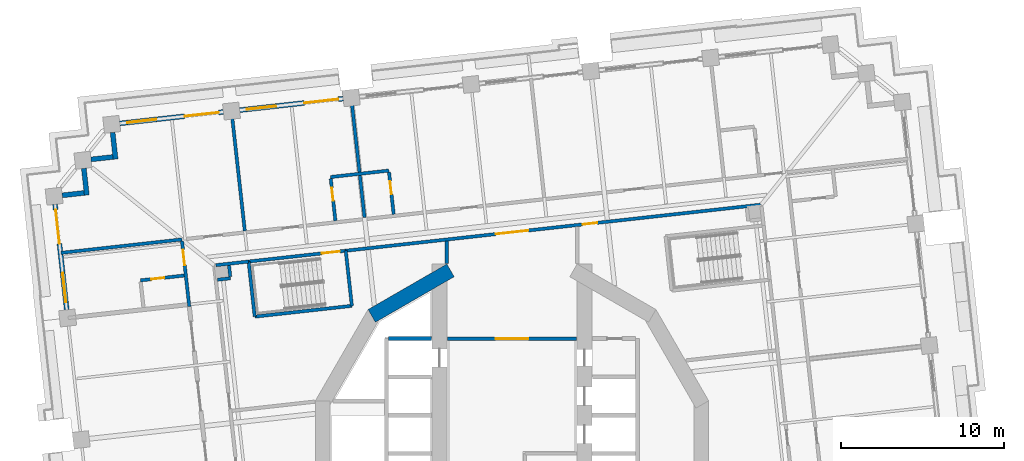
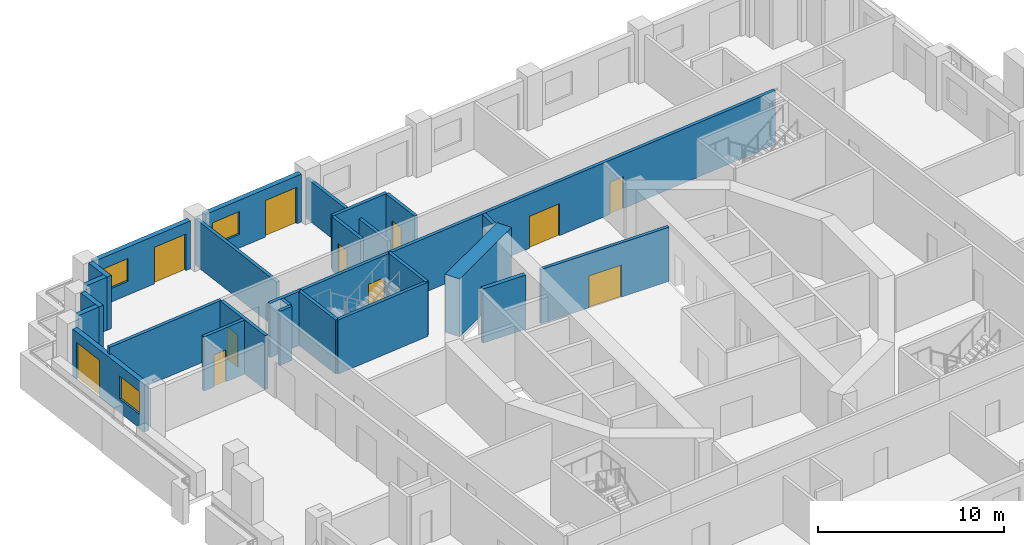
# One storey, part 8 of 19: 27 walls, 11 doors, 3 windows, 14 openings.
"""IFC4 building model written with IfcOpenShell, lengths in metres."""

from ifc_helpers import new_model, si_unit, direction, frame, frame_2d, origin, place, context, subcontext, project, spatial, rectangle, extrude, material, layer, layer_set, type_object, element, fill, save


model = new_model("IFC4")

# Units and contexts
model_context = context("Model", 3, precision=1e-05, world=origin(), true_north=direction((0.0, 1.0)))
body_context = subcontext(model_context, "Body", "Model", "MODEL_VIEW")
ifc_project = project(units=[si_unit("LENGTHUNIT", "METRE"), si_unit("AREAUNIT", "SQUARE_METRE"), si_unit("VOLUMEUNIT", "CUBIC_METRE"), si_unit("PLANEANGLEUNIT", "RADIAN"), si_unit("MASSUNIT", "GRAM", prefix="KILO")], contexts=[model_context])

# Site, building, storey
site_placement = place(None, origin())
site = spatial("IfcSite", under=ifc_project, at=site_placement, CompositionType="ELEMENT")
building_placement = place(site_placement, origin())
building = spatial("IfcBuilding", under=site, at=building_placement, Name="Cantera Rosa Tower", CompositionType="ELEMENT")
storey_placement = place(building_placement, frame((0.0, 0.0, 65.300048828125)))
storey = spatial("IfcBuildingStorey", under=building, at=storey_placement, Name="L13", CompositionType="ELEMENT", Elevation=65.300048828125)

# Wall, opening, door
ifc_material_1 = material(Name="Gypsum board partition")
ifc_layer_1 = layer(ifc_material_1, 0.199951171875)
ifc_layer_set_1 = layer_set([ifc_layer_1], Name="CORRIDOR WALL 200 H3550")
wall_type_1 = type_object("IfcWallType", Name="CORRIDOR WALL 200 H3550", PredefinedType="PARTITIONING", material=ifc_layer_set_1)
wall_1_placement = place(storey_placement, frame((-20.2626953125, 13.04443359375, 0.0), z_axis=(0.0, 0.0, 1.0), x_axis=(0.110332157686, -0.993894770577, 0.0)))
wall_1 = element("IfcWall", 1, at=wall_1_placement, inside=storey, type_object=wall_type_1, Name="CORRIDOR WALL L13-007", PredefinedType="PARTITIONING", context=body_context, shape_type="SweptSolid", body=[
    extrude(rectangle(XDim=4.044921875, YDim=0.199951171875, at=frame_2d((2.0224609375, 0.0))), origin(), (0.0, 0.0, 1.0), 3.550048828125),
])
opening_1_placement = place(wall_1_placement, frame((0.534912109375, 0.0, 0.0)))
opening_1 = element("IfcOpeningElement", 2, at=opening_1_placement, cuts=wall_1, Name="Opening L13-033", PredefinedType="OPENING", context=body_context, shape_type="SweptSolid", body=[
    extrude(rectangle(XDim=0.949951171875, YDim=2.10009765625, at=frame_2d((0.47509765625, 1.050048828125))), frame((0.0, 0.10986328125, 0.0), z_axis=(0.0, -1.0, 0.0), x_axis=(1.0, 0.0, 0.0)), (0.0, 0.0, 1.0), 0.219970703125),
])
ifc_material_2 = material(Name="Timber door leaf", Category="wood")
door_type_1 = type_object("IfcDoorType", Name="ROOM DOOR 950x2100", OperationType="NOTDEFINED", PredefinedType="DOOR", material=ifc_material_2)
door_1_placement = place(opening_1_placement, origin())
door_1 = element("IfcDoor", 3, at=door_1_placement, inside=storey, type_object=door_type_1, Name="DOOR L13-033", OperationType="NOTDEFINED", OverallHeight=2.10009765625, OverallWidth=0.949951171875, PredefinedType="DOOR", context=body_context, shape_type="SweptSolid", body=[
    extrude(rectangle(XDim=0.949951171875, YDim=2.10009765625, at=frame_2d((0.47509765625, 1.050048828125))), frame((0.0, 0.02490234375, 0.0), z_axis=(0.0, -1.0, 0.0), x_axis=(1.0, 0.0, 0.0)), (0.0, 0.0, 1.0), 0.050048828125),
])
fill(opening_1, door_1)

# Walls
wall_2_placement = place(storey_placement, frame((-16.172607421875, 11.787841796875, 0.0), z_axis=(0.0, 0.0, 1.0), x_axis=(-0.993905752705, -0.110233183482, 0.0)))
element("IfcWall", 4, at=wall_2_placement, inside=storey, type_object=wall_type_1, Name="CORRIDOR WALL L13-016", PredefinedType="PARTITIONING", context=body_context, shape_type="SweptSolid", body=[
    extrude(rectangle(XDim=2.026611328125, YDim=0.199951171875, at=frame_2d((1.01318359375, 0.0))), origin(), (0.0, 0.0, 1.0), 3.550048828125),
])
wall_3_placement = place(storey_placement, frame((-4.0, 13.038818359375, 0.0), z_axis=(0.0, 0.0, 1.0), x_axis=(0.0, -1.0, 0.0)))
element("IfcWall", 5, at=wall_3_placement, inside=storey, type_object=wall_type_1, Name="CORRIDOR WALL L13-050", PredefinedType="PARTITIONING", context=body_context, shape_type="SweptSolid", body=[
    extrude(rectangle(XDim=1.37158203125, YDim=0.199951171875, at=frame_2d((0.685791015625, 0.0))), origin(), (0.0, 0.0, 1.0), 3.550048828125),
])

# Wall, opening, door
wall_4_placement = place(storey_placement, frame((-3.969970703125, 7.050048828125, 0.0), z_axis=(0.0, 0.0, 1.0), x_axis=(1.0, 0.0, 0.0)))
wall_4 = element("IfcWall", 6, at=wall_4_placement, inside=storey, type_object=wall_type_1, Name="CORRIDOR WALL L13-051", PredefinedType="PARTITIONING", context=body_context, shape_type="SweptSolid", body=[
    extrude(rectangle(XDim=7.93994140625, YDim=0.199951171875, at=frame_2d((3.969970703125, 0.0))), origin(), (0.0, 0.0, 1.0), 3.550048828125),
])
opening_2_placement = place(wall_4_placement, frame((2.969970703125, 0.0, 0.0)))
opening_2 = element("IfcOpeningElement", 7, at=opening_2_placement, cuts=wall_4, Name="Opening L13-013", PredefinedType="OPENING", context=body_context, shape_type="SweptSolid", body=[
    extrude(rectangle(XDim=2.0, YDim=2.10009765625, at=frame_2d((1.0, 1.050048828125))), frame((0.0, 0.10986328125, 0.0), z_axis=(0.0, -1.0, 0.0), x_axis=(1.0, 0.0, 0.0)), (0.0, 0.0, 1.0), 0.219970703125),
])
ifc_material_3 = material(Name="Steel S355J2 (EN 10025-2)", Category="steel")
door_type_2 = type_object("IfcDoorType", Name="LOBBY SCREEN DOOR 2000x2100", OperationType="NOTDEFINED", PredefinedType="DOOR", material=ifc_material_3)
door_2_placement = place(opening_2_placement, origin())
door_2 = element("IfcDoor", 8, at=door_2_placement, inside=storey, type_object=door_type_2, Name="DOOR L13-013", OperationType="NOTDEFINED", OverallHeight=2.10009765625, OverallWidth=2.0, PredefinedType="DOOR", context=body_context, shape_type="SweptSolid", body=[
    extrude(rectangle(XDim=2.0, YDim=2.10009765625, at=frame_2d((1.0, 1.050048828125))), frame((0.0, 0.02490234375, 0.0), z_axis=(0.0, -1.0, 0.0), x_axis=(1.0, 0.0, 0.0)), (0.0, 0.0, 1.0), 0.050048828125),
])
fill(opening_2, door_2)

# Wall, openings, doors
wall_5_placement = place(storey_placement, frame((15.3076171875, 15.281982421875, 0.0), z_axis=(0.0, 0.0, 1.0), x_axis=(-0.993896137152, -0.110319846599, 0.0)))
wall_5 = element("IfcWall", 9, at=wall_5_placement, inside=storey, type_object=wall_type_1, Name="CORRIDOR WALL L13-084", PredefinedType="PARTITIONING", context=body_context, shape_type="SweptSolid", body=[
    extrude(rectangle(XDim=25.67333984375, YDim=0.199951171875, at=frame_2d((12.836669921875, 0.0))), origin(), (0.0, 0.0, 1.0), 3.550048828125),
])
opening_3_placement = place(wall_5_placement, frame((10.141357421875, 0.0, 0.0)))
opening_3 = element("IfcOpeningElement", 10, at=opening_3_placement, cuts=wall_5, Name="Opening L13-006", PredefinedType="OPENING", context=body_context, shape_type="SweptSolid", body=[
    extrude(rectangle(XDim=0.89990234375, YDim=2.10009765625, at=frame_2d((0.449951171875, 1.050048828125))), frame((0.0, 0.10986328125, 0.0), z_axis=(0.0, -1.0, 0.0), x_axis=(1.0, 0.0, 0.0)), (0.0, 0.0, 1.0), 0.219970703125),
])
opening_4_placement = place(wall_5_placement, frame((14.401611328125, 0.0, 0.0)))
opening_4 = element("IfcOpeningElement", 11, at=opening_4_placement, cuts=wall_5, Name="Opening L13-012", PredefinedType="OPENING", context=body_context, shape_type="SweptSolid", body=[
    extrude(rectangle(XDim=2.0, YDim=2.10009765625, at=frame_2d((1.0, 1.050048828125))), frame((0.0, 0.10986328125, 0.0), z_axis=(0.0, -1.0, 0.0), x_axis=(1.0, 0.0, 0.0)), (0.0, 0.0, 1.0), 0.219970703125),
])
door_3_placement = place(opening_4_placement, origin())
door_3 = element("IfcDoor", 12, at=door_3_placement, inside=storey, type_object=door_type_2, Name="DOOR L13-012", OperationType="NOTDEFINED", OverallHeight=2.10009765625, OverallWidth=2.0, PredefinedType="DOOR", context=body_context, shape_type="SweptSolid", body=[
    extrude(rectangle(XDim=2.0, YDim=2.10009765625, at=frame_2d((1.0, 1.050048828125))), frame((0.0, 0.02490234375, 0.0), z_axis=(0.0, -1.0, 0.0), x_axis=(1.0, 0.0, 0.0)), (0.0, 0.0, 1.0), 0.050048828125),
])
fill(opening_4, door_3)
ifc_material_4 = material(Name="Timber door leaf", Category="wood")
door_type_3 = type_object("IfcDoorType", Name="SERVICE DOOR 900x2100", OperationType="NOTDEFINED", PredefinedType="DOOR", material=ifc_material_4)
door_4_placement = place(opening_3_placement, origin())
door_4 = element("IfcDoor", 13, at=door_4_placement, inside=storey, type_object=door_type_3, Name="DOOR L13-006", OperationType="NOTDEFINED", OverallHeight=2.10009765625, OverallWidth=0.89990234375, PredefinedType="DOOR", context=body_context, shape_type="SweptSolid", body=[
    extrude(rectangle(XDim=0.89990234375, YDim=2.10009765625, at=frame_2d((0.449951171875, 1.050048828125))), frame((0.0, 0.02490234375, 0.0), z_axis=(0.0, -1.0, 0.0), x_axis=(1.0, 0.0, 0.0)), (0.0, 0.0, 1.0), 0.050048828125),
])
fill(opening_3, door_4)

# Walls
ifc_material_5 = material(Name="Hollow clay masonry with cantera stone cladding", Category="masonry")
ifc_layer_2 = layer(ifc_material_5, 0.300048828125)
ifc_layer_set_2 = layer_set([ifc_layer_2], Name="EW-LOGGIA 300")
wall_type_2 = type_object("IfcWallType", Name="EW-LOGGIA 300", PredefinedType="SOLIDWALL", material=ifc_layer_set_2)
wall_6_placement = place(storey_placement, frame((-24.5244140625, 19.71484375, 0.0), z_axis=(0.0, 0.0, 1.0), x_axis=(0.110236638423, -0.993905369514, 0.0)))
element("IfcWall", 14, at=wall_6_placement, inside=storey, type_object=wall_type_2, Name="EN-L13-W14a", PredefinedType="SOLIDWALL", context=body_context, shape_type="SweptSolid", body=[
    extrude(rectangle(XDim=1.64990234375, YDim=0.300048828125, at=frame_2d((0.824951171875, 0.0))), origin(), (0.0, 0.0, 1.0), 3.5),
])
wall_7_placement = place(storey_placement, frame((-24.508056640625, 18.20751953125, 0.0), z_axis=(0.0, 0.0, 1.0), x_axis=(-0.993896959738, -0.110312435488, 0.0)))
element("IfcWall", 15, at=wall_7_placement, inside=storey, type_object=wall_type_2, Name="EN-L13-W14b", PredefinedType="SOLIDWALL", context=body_context, shape_type="SweptSolid", body=[
    extrude(rectangle(XDim=1.35009765625, YDim=0.300048828125, at=frame_2d((0.675048828125, 0.0))), origin(), (0.0, 0.0, 1.0), 3.5),
])
wall_8_placement = place(storey_placement, frame((-26.291748046875, 17.506591796875, 0.0), z_axis=(0.0, 0.0, 1.0), x_axis=(0.110382805355, -0.993889146878, 0.0)))
element("IfcWall", 16, at=wall_8_placement, inside=storey, type_object=wall_type_2, Name="EN-L13-W15a", PredefinedType="SOLIDWALL", context=body_context, shape_type="SweptSolid", body=[
    extrude(rectangle(XDim=1.64990234375, YDim=0.300048828125, at=frame_2d((0.824951171875, 0.0))), origin(), (0.0, 0.0, 1.0), 3.5),
])
wall_9_placement = place(storey_placement, frame((-26.275146484375, 15.999267578125, 0.0), z_axis=(0.0, 0.0, 1.0), x_axis=(-0.993896959738, -0.110312435488, 0.0)))
element("IfcWall", 17, at=wall_9_placement, inside=storey, type_object=wall_type_2, Name="EN-L13-W15b", PredefinedType="SOLIDWALL", context=body_context, shape_type="SweptSolid", body=[
    extrude(rectangle(XDim=1.35009765625, YDim=0.300048828125, at=frame_2d((0.675048828125, 0.0))), origin(), (0.0, 0.0, 1.0), 3.5),
])

# Wall, openings, window, door
ifc_material_6 = material(Name="Hollow clay masonry with cantera stone cladding", Category="masonry")
ifc_layer_3 = layer(ifc_material_6, 0.300048828125)
ifc_layer_set_3 = layer_set([ifc_layer_3], Name="EW-LOGGIA 300 H3090")
wall_type_3 = type_object("IfcWallType", Name="EW-LOGGIA 300 H3090", PredefinedType="SOLIDWALL", material=ifc_layer_set_3)
wall_10_placement = place(storey_placement, frame((-28.058837890625, 15.298095703125, 0.0), z_axis=(0.0, 0.0, 1.0), x_axis=(0.110312341265, -0.993896970196, 0.0)))
wall_10 = element("IfcWall", 18, at=wall_10_placement, inside=storey, type_object=wall_type_3, Name="EN-L13-W16", PredefinedType="SOLIDWALL", context=body_context, shape_type="SweptSolid", body=[
    extrude(rectangle(XDim=6.52001953125, YDim=0.300048828125, at=frame_2d((3.260009765625, 0.0))), origin(), (0.0, 0.0, 1.0), 3.08984375),
])
opening_5_placement = place(wall_10_placement, frame((0.330078125, 0.0, 0.0)))
opening_5 = element("IfcOpeningElement", 19, at=opening_5_placement, cuts=wall_10, Name="Opening L13-TD23", PredefinedType="OPENING", context=body_context, shape_type="SweptSolid", body=[
    extrude(rectangle(XDim=2.10009765625, YDim=2.39990234375, at=frame_2d((1.050048828125, 1.199951171875))), frame((0.0, 0.159912109375, 0.0), z_axis=(0.0, -1.0, 0.0), x_axis=(1.0, 0.0, 0.0)), (0.0, 0.0, 1.0), 0.320068359375),
])
opening_6_placement = place(wall_10_placement, frame((4.239990234375, 0.0, 0.89990234375)))
opening_6 = element("IfcOpeningElement", 20, at=opening_6_placement, cuts=wall_10, Name="Opening L13-W24", PredefinedType="OPENING", context=body_context, shape_type="SweptSolid", body=[
    extrude(rectangle(XDim=1.800048828125, YDim=1.5, at=frame_2d((0.89990234375, 0.75))), frame((0.0, 0.159912109375, 0.0), z_axis=(0.0, -1.0, 0.0), x_axis=(1.0, 0.0, 0.0)), (0.0, 0.0, 1.0), 0.320068359375),
])
ifc_material_7 = material(Name="Aluminium frame with clear glass", Category="aluminium")
window_type = type_object("IfcWindowType", Name="Hotel room window 1800x1500", PartitioningType="DOUBLE_PANEL_VERTICAL", PredefinedType="WINDOW", material=ifc_material_7)
window_1_placement = place(opening_6_placement, origin())
window_1 = element("IfcWindow", 21, at=window_1_placement, inside=storey, type_object=window_type, Name="WINDOW L13-W24", OverallHeight=1.5, OverallWidth=1.800048828125, PartitioningType="SINGLE_PANEL", PredefinedType="WINDOW", context=body_context, shape_type="SweptSolid", body=[
    extrude(rectangle(XDim=1.800048828125, YDim=1.5, at=frame_2d((0.89990234375, 0.75))), frame((0.0, 0.030029296875, 0.0), z_axis=(0.0, -1.0, 0.0), x_axis=(1.0, 0.0, 0.0)), (0.0, 0.0, 1.0), 0.06005859375),
])
fill(opening_6, window_1)
ifc_material_8 = material(Name="Aluminium frame with clear glass", Category="aluminium")
door_type_4 = type_object("IfcDoorType", Name="TD-H 2100x2400", OperationType="NOTDEFINED", PredefinedType="DOOR", material=ifc_material_8)
door_5_placement = place(opening_5_placement, origin())
door_5 = element("IfcDoor", 22, at=door_5_placement, inside=storey, type_object=door_type_4, Name="LOGGIA DOOR L13-TD23", OperationType="SLIDING_TO_LEFT", OverallHeight=2.39990234375, OverallWidth=2.10009765625, PredefinedType="DOOR", context=body_context, shape_type="SweptSolid", body=[
    extrude(rectangle(XDim=2.10009765625, YDim=2.39990234375, at=frame_2d((1.050048828125, 1.199951171875))), frame((0.0, 0.02490234375, 0.0), z_axis=(0.0, -1.0, 0.0), x_axis=(1.0, 0.0, 0.0)), (0.0, 0.0, 1.0), 0.050048828125),
])
fill(opening_5, door_5)

ifc_material_9 = material(Name="Hollow clay masonry with cantera stone cladding", Category="masonry")
ifc_layer_4 = layer(ifc_material_9, 0.300048828125)
ifc_layer_set_4 = layer_set([ifc_layer_4], Name="EW-LOGGIA 300 H3140")
wall_type_4 = type_object("IfcWallType", Name="EW-LOGGIA 300 H3140", PredefinedType="SOLIDWALL", material=ifc_layer_set_4)
wall_11_placement = place(storey_placement, frame((-10.366943359375, 21.789306640625, 0.0), z_axis=(0.0, 0.0, 1.0), x_axis=(-0.993900006422, -0.110284981906, 0.0)))
wall_11 = element("IfcWall", 23, at=wall_11_placement, inside=storey, type_object=wall_type_4, Name="EN-L13-W12", PredefinedType="SOLIDWALL", context=body_context, shape_type="SweptSolid", body=[
    extrude(rectangle(XDim=6.39990234375, YDim=0.300048828125, at=frame_2d((3.199951171875, 0.0))), origin(), (0.0, 0.0, 1.0), 3.139892578125),
])
opening_7_placement = place(wall_11_placement, frame((0.300048828125, 0.0, 0.0)))
opening_7 = element("IfcOpeningElement", 24, at=opening_7_placement, cuts=wall_11, Name="Opening L13-TD19", PredefinedType="OPENING", context=body_context, shape_type="SweptSolid", body=[
    extrude(rectangle(XDim=2.10009765625, YDim=2.39990234375, at=frame_2d((1.050048828125, 1.199951171875))), frame((0.0, 0.159912109375, 0.0), z_axis=(0.0, -1.0, 0.0), x_axis=(1.0, 0.0, 0.0)), (0.0, 0.0, 1.0), 0.320068359375),
])
opening_8_placement = place(wall_11_placement, frame((4.14990234375, 0.0, 0.89990234375)))
opening_8 = element("IfcOpeningElement", 25, at=opening_8_placement, cuts=wall_11, Name="Opening L13-W20", PredefinedType="OPENING", context=body_context, shape_type="SweptSolid", body=[
    extrude(rectangle(XDim=1.800048828125, YDim=1.5, at=frame_2d((0.89990234375, 0.75))), frame((0.0, 0.159912109375, 0.0), z_axis=(0.0, -1.0, 0.0), x_axis=(1.0, 0.0, 0.0)), (0.0, 0.0, 1.0), 0.320068359375),
])
window_2_placement = place(opening_8_placement, origin())
window_2 = element("IfcWindow", 26, at=window_2_placement, inside=storey, type_object=window_type, Name="WINDOW L13-W20", OverallHeight=1.5, OverallWidth=1.800048828125, PartitioningType="SINGLE_PANEL", PredefinedType="WINDOW", context=body_context, shape_type="SweptSolid", body=[
    extrude(rectangle(XDim=1.800048828125, YDim=1.5, at=frame_2d((0.89990234375, 0.75))), frame((0.0, 0.030029296875, 0.0), z_axis=(0.0, -1.0, 0.0), x_axis=(1.0, 0.0, 0.0)), (0.0, 0.0, 1.0), 0.06005859375),
])
fill(opening_8, window_2)
door_6_placement = place(opening_7_placement, origin())
door_6 = element("IfcDoor", 27, at=door_6_placement, inside=storey, type_object=door_type_4, Name="LOGGIA DOOR L13-TD19", OperationType="SLIDING_TO_LEFT", OverallHeight=2.39990234375, OverallWidth=2.10009765625, PredefinedType="DOOR", context=body_context, shape_type="SweptSolid", body=[
    extrude(rectangle(XDim=2.10009765625, YDim=2.39990234375, at=frame_2d((1.050048828125, 1.199951171875))), frame((0.0, 0.02490234375, 0.0), z_axis=(0.0, -1.0, 0.0), x_axis=(1.0, 0.0, 0.0)), (0.0, 0.0, 1.0), 0.050048828125),
])
fill(opening_7, door_6)

wall_12_placement = place(storey_placement, frame((-17.7216796875, 20.97314453125, 0.0), z_axis=(0.0, 0.0, 1.0), x_axis=(-0.993896288542, -0.110318482689, 0.0)))
wall_12 = element("IfcWall", 28, at=wall_12_placement, inside=storey, type_object=wall_type_4, Name="EN-L13-W13", PredefinedType="SOLIDWALL", context=body_context, shape_type="SweptSolid", body=[
    extrude(rectangle(XDim=6.400146484375, YDim=0.300048828125, at=frame_2d((3.2001953125, 0.0))), origin(), (0.0, 0.0, 1.0), 3.139892578125),
])
opening_9_placement = place(wall_12_placement, frame((0.300048828125, 0.0, 0.0)))
opening_9 = element("IfcOpeningElement", 29, at=opening_9_placement, cuts=wall_12, Name="Opening L13-TD21", PredefinedType="OPENING", context=body_context, shape_type="SweptSolid", body=[
    extrude(rectangle(XDim=2.10009765625, YDim=2.39990234375, at=frame_2d((1.050048828125, 1.199951171875))), frame((0.0, 0.159912109375, 0.0), z_axis=(0.0, -1.0, 0.0), x_axis=(1.0, 0.0, 0.0)), (0.0, 0.0, 1.0), 0.320068359375),
])
opening_10_placement = place(wall_12_placement, frame((4.14990234375, 0.0, 0.89990234375)))
opening_10 = element("IfcOpeningElement", 30, at=opening_10_placement, cuts=wall_12, Name="Opening L13-W22", PredefinedType="OPENING", context=body_context, shape_type="SweptSolid", body=[
    extrude(rectangle(XDim=1.800048828125, YDim=1.5, at=frame_2d((0.89990234375, 0.75))), frame((0.0, 0.159912109375, 0.0), z_axis=(0.0, -1.0, 0.0), x_axis=(1.0, 0.0, 0.0)), (0.0, 0.0, 1.0), 0.320068359375),
])
window_3_placement = place(opening_10_placement, origin())
window_3 = element("IfcWindow", 31, at=window_3_placement, inside=storey, type_object=window_type, Name="WINDOW L13-W22", OverallHeight=1.5, OverallWidth=1.800048828125, PartitioningType="SINGLE_PANEL", PredefinedType="WINDOW", context=body_context, shape_type="SweptSolid", body=[
    extrude(rectangle(XDim=1.800048828125, YDim=1.5, at=frame_2d((0.89990234375, 0.75))), frame((0.0, 0.030029296875, 0.0), z_axis=(0.0, -1.0, 0.0), x_axis=(1.0, 0.0, 0.0)), (0.0, 0.0, 1.0), 0.06005859375),
])
fill(opening_10, window_3)
door_7_placement = place(opening_9_placement, origin())
door_7 = element("IfcDoor", 32, at=door_7_placement, inside=storey, type_object=door_type_4, Name="LOGGIA DOOR L13-TD21", OperationType="SLIDING_TO_LEFT", OverallHeight=2.39990234375, OverallWidth=2.10009765625, PredefinedType="DOOR", context=body_context, shape_type="SweptSolid", body=[
    extrude(rectangle(XDim=2.10009765625, YDim=2.39990234375, at=frame_2d((1.050048828125, 1.199951171875))), frame((0.0, 0.02490234375, 0.0), z_axis=(0.0, -1.0, 0.0), x_axis=(1.0, 0.0, 0.0)), (0.0, 0.0, 1.0), 0.050048828125),
])
fill(opening_9, door_7)

# Wall, opening, door
ifc_material_10 = material(Name="Gypsum board partition")
ifc_layer_5 = layer(ifc_material_10, 0.199951171875)
ifc_layer_set_5 = layer_set([ifc_layer_5], Name="PARTITION 200 H3550")
wall_type_5 = type_object("IfcWallType", Name="PARTITION 200 H3550", PredefinedType="PARTITIONING", material=ifc_layer_set_5)
wall_13_placement = place(storey_placement, frame((-22.811767578125, 10.62841796875, 0.0), z_axis=(0.0, 0.0, 1.0), x_axis=(0.993896959738, 0.110312435488, 0.0)))
wall_13 = element("IfcWall", 33, at=wall_13_placement, inside=storey, type_object=wall_type_5, Name="PARTITION L13-003", PredefinedType="PARTITIONING", context=body_context, shape_type="SweptSolid", body=[
    extrude(rectangle(XDim=2.699951171875, YDim=0.199951171875, at=frame_2d((1.35009765625, 0.0))), origin(), (0.0, 0.0, 1.0), 3.550048828125),
])
opening_11_placement = place(wall_13_placement, frame((0.6640625, 0.0, 0.0)))
opening_11 = element("IfcOpeningElement", 34, at=opening_11_placement, cuts=wall_13, Name="Opening L13-034", PredefinedType="OPENING", context=body_context, shape_type="SweptSolid", body=[
    extrude(rectangle(XDim=0.800048828125, YDim=2.10009765625, at=frame_2d((0.39990234375, 1.050048828125))), frame((0.0, 0.10986328125, 0.0), z_axis=(0.0, -1.0, 0.0), x_axis=(1.0, 0.0, 0.0)), (0.0, 0.0, 1.0), 0.219970703125),
])
ifc_material_11 = material(Name="Timber door leaf", Category="wood")
door_type_5 = type_object("IfcDoorType", Name="BATHROOM DOOR 800x2100", OperationType="NOTDEFINED", PredefinedType="DOOR", material=ifc_material_11)
door_8_placement = place(opening_11_placement, origin())
door_8 = element("IfcDoor", 35, at=door_8_placement, inside=storey, type_object=door_type_5, Name="DOOR L13-034", OperationType="NOTDEFINED", OverallHeight=2.10009765625, OverallWidth=0.800048828125, PredefinedType="DOOR", context=body_context, shape_type="SweptSolid", body=[
    extrude(rectangle(XDim=0.800048828125, YDim=2.10009765625, at=frame_2d((0.39990234375, 1.050048828125))), frame((0.0, 0.02490234375, 0.0), z_axis=(0.0, -1.0, 0.0), x_axis=(1.0, 0.0, 0.0)), (0.0, 0.0, 1.0), 0.050048828125),
])
fill(opening_11, door_8)

# Walls
wall_14_placement = place(storey_placement, frame((-18.08740234375, 10.669921875, 0.0), z_axis=(0.0, 0.0, 1.0), x_axis=(0.993913470482, 0.110163574714, 0.0)))
element("IfcWall", 36, at=wall_14_placement, inside=storey, type_object=wall_type_5, Name="PARTITION L13-011", PredefinedType="PARTITIONING", context=body_context, shape_type="SweptSolid", body=[
    extrude(rectangle(XDim=0.800048828125, YDim=0.199951171875, at=frame_2d((0.39990234375, 0.0))), origin(), (0.0, 0.0, 1.0), 3.550048828125),
])
wall_15_placement = place(storey_placement, frame((-17.30322265625, 10.857421875, 0.0), z_axis=(0.0, 0.0, 1.0), x_axis=(-0.110546349969, 0.993870969748, 0.0)))
element("IfcWall", 37, at=wall_15_placement, inside=storey, type_object=wall_type_5, Name="PARTITION L13-013", PredefinedType="PARTITIONING", context=body_context, shape_type="SweptSolid", body=[
    extrude(rectangle(XDim=0.7001953125, YDim=0.199951171875, at=frame_2d((0.35009765625, 0.0))), origin(), (0.0, 0.0, 1.0), 3.550048828125),
])
wall_16_placement = place(storey_placement, frame((-11.140380859375, 16.974609375, 0.0), z_axis=(0.0, 0.0, 1.0), x_axis=(0.993893655453, 0.110342202485, 0.0)))
element("IfcWall", 38, at=wall_16_placement, inside=storey, type_object=wall_type_5, Name="PARTITION L13-028", PredefinedType="PARTITIONING", context=body_context, shape_type="SweptSolid", body=[
    extrude(rectangle(XDim=3.599853515625, YDim=0.199951171875, at=frame_2d((1.7998046875, 0.0))), origin(), (0.0, 0.0, 1.0), 3.550048828125),
])

# Wall, opening, door
wall_17_placement = place(storey_placement, frame((-10.8427734375, 14.291015625, 0.0), z_axis=(0.0, 0.0, 1.0), x_axis=(-0.110235713206, 0.993905472132, 0.0)))
wall_17 = element("IfcWall", 39, at=wall_17_placement, inside=storey, type_object=wall_type_5, Name="PARTITION L13-030", PredefinedType="PARTITIONING", context=body_context, shape_type="SweptSolid", body=[
    extrude(rectangle(XDim=2.60009765625, YDim=0.199951171875, at=frame_2d((1.300048828125, 0.0))), origin(), (0.0, 0.0, 1.0), 3.550048828125),
])
opening_12_placement = place(wall_17_placement, frame((1.236083984375, 0.0, 0.0)))
opening_12 = element("IfcOpeningElement", 40, at=opening_12_placement, cuts=wall_17, Name="Opening L13-029", PredefinedType="OPENING", context=body_context, shape_type="SweptSolid", body=[
    extrude(rectangle(XDim=0.800048828125, YDim=2.10009765625, at=frame_2d((0.39990234375, 1.050048828125))), frame((0.0, 0.10986328125, 0.0), z_axis=(0.0, -1.0, 0.0), x_axis=(1.0, 0.0, 0.0)), (0.0, 0.0, 1.0), 0.219970703125),
])
door_9_placement = place(opening_12_placement, origin())
door_9 = element("IfcDoor", 41, at=door_9_placement, inside=storey, type_object=door_type_5, Name="DOOR L13-029", OperationType="NOTDEFINED", OverallHeight=2.10009765625, OverallWidth=0.800048828125, PredefinedType="DOOR", context=body_context, shape_type="SweptSolid", body=[
    extrude(rectangle(XDim=0.800048828125, YDim=2.10009765625, at=frame_2d((0.39990234375, 1.050048828125))), frame((0.0, 0.02490234375, 0.0), z_axis=(0.0, -1.0, 0.0), x_axis=(1.0, 0.0, 0.0)), (0.0, 0.0, 1.0), 0.050048828125),
])
fill(opening_12, door_9)

wall_18_placement = place(storey_placement, frame((-7.551513671875, 17.2724609375, 0.0), z_axis=(0.0, 0.0, 1.0), x_axis=(0.110328468272, -0.993895180132, 0.0)))
wall_18 = element("IfcWall", 42, at=wall_18_placement, inside=storey, type_object=wall_type_5, Name="PARTITION L13-046", PredefinedType="PARTITIONING", context=body_context, shape_type="SweptSolid", body=[
    extrude(rectangle(XDim=2.60009765625, YDim=0.199951171875, at=frame_2d((1.300048828125, 0.0))), origin(), (0.0, 0.0, 1.0), 3.550048828125),
])
opening_13_placement = place(wall_18_placement, frame((0.56396484375, 0.0, 0.0)))
opening_13 = element("IfcOpeningElement", 43, at=opening_13_placement, cuts=wall_18, Name="Opening L13-027", PredefinedType="OPENING", context=body_context, shape_type="SweptSolid", body=[
    extrude(rectangle(XDim=0.800048828125, YDim=2.10009765625, at=frame_2d((0.39990234375, 1.050048828125))), frame((0.0, 0.10986328125, 0.0), z_axis=(0.0, -1.0, 0.0), x_axis=(1.0, 0.0, 0.0)), (0.0, 0.0, 1.0), 0.219970703125),
])
door_10_placement = place(opening_13_placement, origin())
door_10 = element("IfcDoor", 44, at=door_10_placement, inside=storey, type_object=door_type_5, Name="DOOR L13-027", OperationType="NOTDEFINED", OverallHeight=2.10009765625, OverallWidth=0.800048828125, PredefinedType="DOOR", context=body_context, shape_type="SweptSolid", body=[
    extrude(rectangle(XDim=0.800048828125, YDim=2.10009765625, at=frame_2d((0.39990234375, 1.050048828125))), frame((0.0, 0.02490234375, 0.0), z_axis=(0.0, -1.0, 0.0), x_axis=(1.0, 0.0, 0.0)), (0.0, 0.0, 1.0), 0.050048828125),
])
fill(opening_13, door_10)

# Walls
ifc_material_12 = material(Name="Gypsum board partition")
ifc_layer_6 = layer(ifc_material_12, 0.199951171875)
ifc_layer_set_6 = layer_set([ifc_layer_6], Name="PARTY WALL 200 H2650")
wall_type_6 = type_object("IfcWallType", Name="PARTY WALL 200 H2650", PredefinedType="PARTITIONING", material=ifc_layer_set_6)
wall_19_placement = place(storey_placement, frame((-9.0537109375, 14.48974609375, 0.0), z_axis=(0.0, 0.0, 1.0), x_axis=(-0.11031154238, 0.993897058864, 0.0)))
element("IfcWall", 45, at=wall_19_placement, inside=storey, type_object=wall_type_6, Name="PARTY WALL L13-036", PredefinedType="PARTITIONING", context=body_context, shape_type="SweptSolid", body=[
    extrude(rectangle(XDim=7.369873046875, YDim=0.199951171875, at=frame_2d((3.68505859375, 0.0))), origin(), (0.0, 0.0, 1.0), 2.64990234375),
])
ifc_material_13 = material(Name="Gypsum board partition")
ifc_layer_7 = layer(ifc_material_13, 0.199951171875)
ifc_layer_set_7 = layer_set([ifc_layer_7], Name="PARTY WALL 200 H3050")
wall_type_7 = type_object("IfcWallType", Name="PARTY WALL 200 H3050", PredefinedType="PARTITIONING", material=ifc_layer_set_7)
wall_20_placement = place(storey_placement, frame((-16.408447265625, 13.67333984375, 0.0), z_axis=(0.0, 0.0, 1.0), x_axis=(-0.11031154238, 0.993897058864, 0.0)))
element("IfcWall", 46, at=wall_20_placement, inside=storey, type_object=wall_type_7, Name="PARTY WALL L13-015", PredefinedType="PARTITIONING", context=body_context, shape_type="SweptSolid", body=[
    extrude(rectangle(XDim=7.369873046875, YDim=0.199951171875, at=frame_2d((3.68505859375, 0.0))), origin(), (0.0, 0.0, 1.0), 3.050048828125),
])
ifc_material_14 = material(Name="Gypsum board partition")
ifc_layer_8 = layer(ifc_material_14, 0.199951171875)
ifc_layer_set_8 = layer_set([ifc_layer_8], Name="PARTY WALL 200 H3550")
wall_type_8 = type_object("IfcWallType", Name="PARTY WALL 200 H3550", PredefinedType="PARTITIONING", material=ifc_layer_set_8)
wall_21_placement = place(storey_placement, frame((-20.273681640625, 13.143798828125, 0.0), z_axis=(0.0, 0.0, 1.0), x_axis=(-0.993894093242, -0.110338259085, 0.0)))
element("IfcWall", 47, at=wall_21_placement, inside=storey, type_object=wall_type_8, Name="PARTY WALL L13-006", PredefinedType="PARTITIONING", context=body_context, shape_type="SweptSolid", body=[
    extrude(rectangle(XDim=7.469970703125, YDim=0.199951171875, at=frame_2d((3.73486328125, 0.0))), origin(), (0.0, 0.0, 1.0), 3.550048828125),
])
ifc_material_15 = material(Name="Concrete C70/85", Category="concrete")
ifc_layer_9 = layer(ifc_material_15, 0.89990234375)
ifc_layer_set_9 = layer_set([ifc_layer_9], Name="RC CORE WALL 900 C70/85")
wall_type_9 = type_object("IfcWallType", Name="RC CORE WALL 900 C70/85", PredefinedType="SHEAR", material=ifc_layer_set_9)
wall_22_placement = place(storey_placement, frame((-8.61376953125, 8.44921875, 0.0), z_axis=(0.0, 0.0, 1.0), x_axis=(0.866026961591, 0.49999730179, 0.0)))
element("IfcWall", 48, at=wall_22_placement, inside=storey, type_object=wall_type_9, Name="CW-W5 L13", PredefinedType="SHEAR", context=body_context, shape_type="SweptSolid", body=[
    extrude(rectangle(XDim=5.58740234375, YDim=0.89990234375, at=frame_2d((2.793701171875, 0.0))), origin(), (0.0, 0.0, 1.0), 3.800048828125),
])
ifc_material_16 = material(Name="Masonry blockwork", Category="masonry")
ifc_layer_10 = layer(ifc_material_16, 0.25)
ifc_layer_set_10 = layer_set([ifc_layer_10], Name="SHAFT WALL 250 H3550")
wall_type_10 = type_object("IfcWallType", Name="SHAFT WALL 250 H3550", PredefinedType="SOLIDWALL", material=ifc_layer_set_10)
wall_23_placement = place(storey_placement, frame((-4.929931640625, 7.050048828125, 0.0), z_axis=(0.0, 0.0, 1.0), x_axis=(-1.0, 0.0, 0.0)))
element("IfcWall", 49, at=wall_23_placement, inside=storey, type_object=wall_type_10, Name="SHAFT WALL L13-047", PredefinedType="SOLIDWALL", context=body_context, shape_type="SweptSolid", body=[
    extrude(rectangle(XDim=2.650146484375, YDim=0.25, at=frame_2d((1.3251953125, 0.0))), origin(), (0.0, 0.0, 1.0), 3.550048828125),
])
ifc_material_17 = material(Name="Concrete C50/60", Category="concrete")
ifc_layer_11 = layer(ifc_material_17, 0.199951171875)
ifc_layer_set_11 = layer_set([ifc_layer_11], Name="STAIR WALL 200 H3550")
wall_type_11 = type_object("IfcWallType", Name="STAIR WALL 200 H3550", PredefinedType="SOLIDWALL", material=ifc_layer_set_11)
wall_24_placement = place(storey_placement, frame((-16.172607421875, 11.787841796875, 0.0), z_axis=(0.0, 0.0, 1.0), x_axis=(0.110368557057, -0.993890729212, 0.0)))
element("IfcWall", 50, at=wall_24_placement, inside=storey, type_object=wall_type_11, Name="STAIR WALL L13-017", PredefinedType="SOLIDWALL", context=body_context, shape_type="SweptSolid", body=[
    extrude(rectangle(XDim=3.404296875, YDim=0.199951171875, at=frame_2d((1.7021484375, 0.0))), origin(), (0.0, 0.0, 1.0), 3.550048828125),
])
wall_25_placement = place(storey_placement, frame((-15.796875, 8.404296875, 0.0), z_axis=(0.0, 0.0, 1.0), x_axis=(0.993897125329, 0.110310943534, 0.0)))
element("IfcWall", 51, at=wall_25_placement, inside=storey, type_object=wall_type_11, Name="STAIR WALL L13-018", PredefinedType="SOLIDWALL", context=body_context, shape_type="SweptSolid", body=[
    extrude(rectangle(XDim=6.0, YDim=0.199951171875, at=frame_2d((3.0, 0.0))), origin(), (0.0, 0.0, 1.0), 3.550048828125),
])

# Wall, opening, door
wall_26_placement = place(storey_placement, frame((-10.208984375, 12.44970703125, 0.0), z_axis=(0.0, 0.0, 1.0), x_axis=(-0.993897620437, -0.11030648254, 0.0)))
wall_26 = element("IfcWall", 52, at=wall_26_placement, inside=storey, type_object=wall_type_11, Name="STAIR WALL L13-033", PredefinedType="SOLIDWALL", context=body_context, shape_type="SweptSolid", body=[
    extrude(rectangle(XDim=6.000244140625, YDim=0.199951171875, at=frame_2d((3.0, 0.0))), origin(), (0.0, 0.0, 1.0), 3.550048828125),
])
opening_14_placement = place(wall_26_placement, frame((0.375, 0.0, 0.0)))
opening_14 = element("IfcOpeningElement", 53, at=opening_14_placement, cuts=wall_26, Name="Opening L13-002", PredefinedType="OPENING", context=body_context, shape_type="SweptSolid", body=[
    extrude(rectangle(XDim=1.10009765625, YDim=2.10009765625, at=frame_2d((0.550048828125, 1.050048828125))), frame((0.0, 0.10986328125, 0.0), z_axis=(0.0, -1.0, 0.0), x_axis=(1.0, 0.0, 0.0)), (0.0, 0.0, 1.0), 0.219970703125),
])
ifc_material_18 = material(Name="Steel S355J2 (EN 10025-2)", Category="steel")
door_type_6 = type_object("IfcDoorType", Name="STAIR DOOR 1100x2100", OperationType="NOTDEFINED", PredefinedType="DOOR", material=ifc_material_18)
door_11_placement = place(opening_14_placement, origin())
door_11 = element("IfcDoor", 54, at=door_11_placement, inside=storey, type_object=door_type_6, Name="DOOR L13-002", OperationType="NOTDEFINED", OverallHeight=2.10009765625, OverallWidth=1.10009765625, PredefinedType="DOOR", context=body_context, shape_type="SweptSolid", body=[
    extrude(rectangle(XDim=1.10009765625, YDim=2.10009765625, at=frame_2d((0.550048828125, 1.050048828125))), frame((0.0, 0.02490234375, 0.0), z_axis=(0.0, -1.0, 0.0), x_axis=(1.0, 0.0, 0.0)), (0.0, 0.0, 1.0), 0.050048828125),
])
fill(opening_14, door_11)

# Wall
wall_27_placement = place(storey_placement, frame((-9.83349609375, 9.066162109375, 0.0), z_axis=(0.0, 0.0, 1.0), x_axis=(-0.110297715324, 0.993898593416, 0.0)))
element("IfcWall", 55, at=wall_27_placement, inside=storey, type_object=wall_type_11, Name="STAIR WALL L13-034", PredefinedType="SOLIDWALL", context=body_context, shape_type="SweptSolid", body=[
    extrude(rectangle(XDim=3.404296875, YDim=0.199951171875, at=frame_2d((1.7021484375, 0.0))), origin(), (0.0, 0.0, 1.0), 3.550048828125),
])

save(model, "model.ifc")
